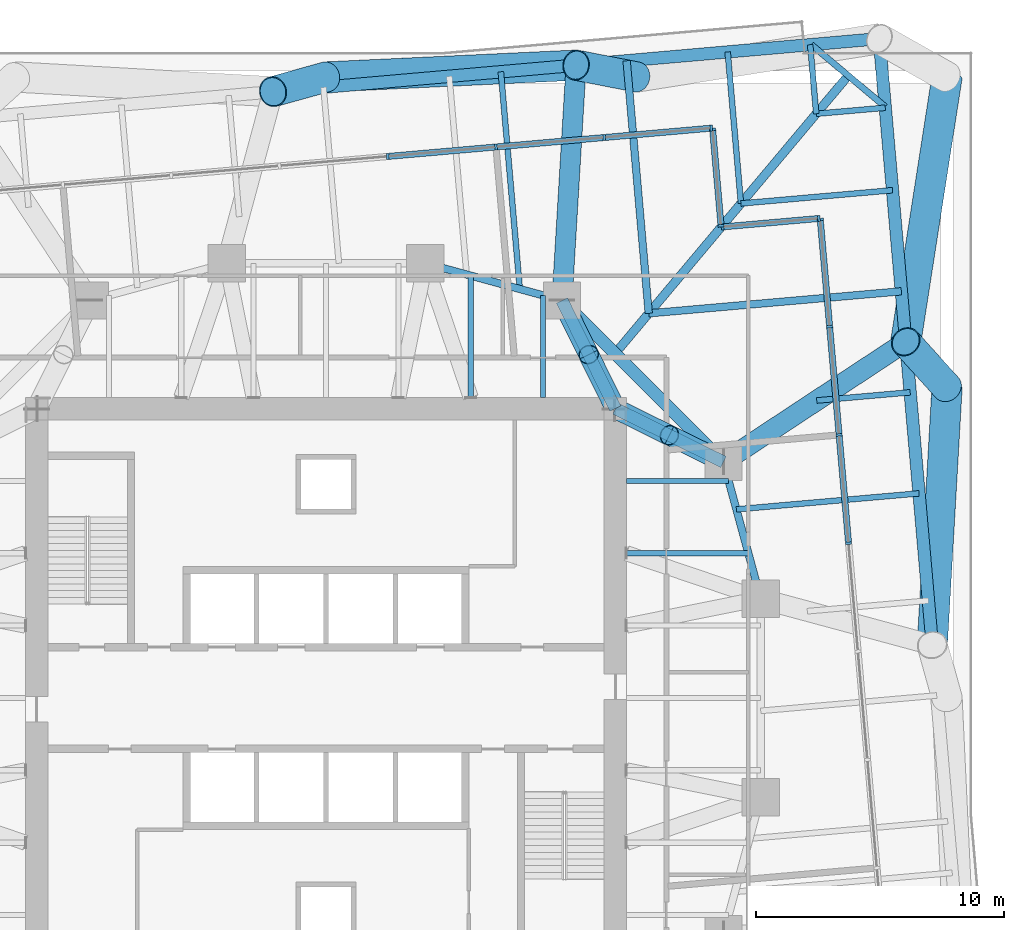
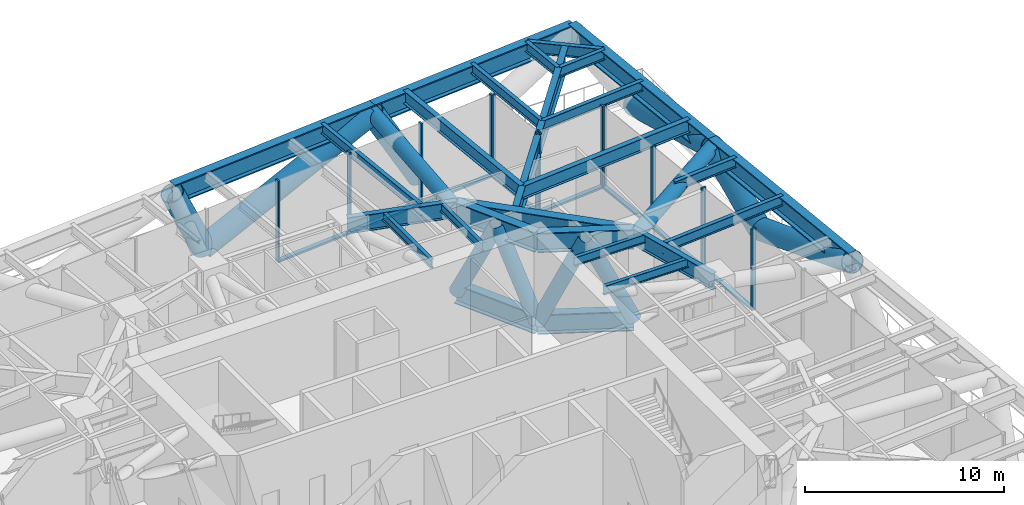
# One storey, part 7 of 14: 36 members, 22 beams, 4 elements without a shape of their own.
"""IFC4 building model written with IfcOpenShell, lengths in metres."""

from ifc_helpers import new_model, si_unit, direction, frame, origin, origin_2d, place, context, subcontext, project, spatial, rectangle, hollow_circle, i_section, extrude, material, material_profile, profile_set, type_object, element, aggregate, save


model = new_model("IFC4")

# Units and contexts
model_context = context("Model", 3, precision=1e-05, world=origin(), true_north=direction((0.0, 1.0)))
body_context = subcontext(model_context, "Body", "Model", "MODEL_VIEW")
ifc_project = project(units=[si_unit("LENGTHUNIT", "METRE"), si_unit("AREAUNIT", "SQUARE_METRE"), si_unit("VOLUMEUNIT", "CUBIC_METRE"), si_unit("PLANEANGLEUNIT", "RADIAN"), si_unit("MASSUNIT", "GRAM", prefix="KILO")], contexts=[model_context])

# Site, building, storey
site_placement = place(None, origin())
site = spatial("IfcSite", under=ifc_project, at=site_placement, CompositionType="ELEMENT")
building_placement = place(site_placement, origin())
building = spatial("IfcBuilding", under=site, at=building_placement, Name="Torsade Residences", CompositionType="ELEMENT")
storey_placement = place(building_placement, frame((0.0, 0.0, 42.199951171875)))
storey = spatial("IfcBuildingStorey", under=building, at=storey_placement, Name="L11", CompositionType="ELEMENT", Elevation=42.199951171875)

# Beams
ifc_material_1 = material(Name="Steel grade 300", Category="steel")
ifc_material_profile_1 = material_profile(ifc_material_1, i_section(OverallWidth=0.35009765625, OverallDepth=1.199951171875, WebThickness=0.01611328125, FlangeThickness=0.028076171875, at=origin_2d()), Name="1200WB278")
ifc_profile_set_1 = profile_set([ifc_material_profile_1], Name="Steel grade 300")
beam_type_1 = type_object("IfcBeamType", Name="CORNER GIRDER 1200WB278", PredefinedType="BEAM", material=ifc_profile_set_1)
beam_1_placement = place(storey_placement, frame((61.021484375, 55.052490234375, 4.25), z_axis=(-0.642785419012, -0.766046281307, 0.0), x_axis=(0.766046281307, -0.642785419012, 0.0)))
element("IfcBeam", 1, at=beam_1_placement, inside=storey, type_object=beam_type_1, Name="Corner girder 09 L12", PredefinedType="BEAM", context=body_context, shape_type="SweptSolid", body=[
    extrude(i_section(OverallWidth=0.35009765625, OverallDepth=1.199951171875, WebThickness=0.01611328125, FlangeThickness=0.028076171875, at=origin_2d()), origin(), (0.0, 0.0, 1.0), 14.603515625),
])
ifc_material_2 = material(Name="Steel grade 300", Category="steel")
ifc_material_profile_2 = material_profile(ifc_material_2, i_section(OverallWidth=0.25, OverallDepth=0.699951171875, WebThickness=0.010009765625, FlangeThickness=0.02001953125, at=origin_2d()), Name="700WB130")
ifc_profile_set_2 = profile_set([ifc_material_profile_2], Name="Steel grade 300")
beam_type_2 = type_object("IfcBeamType", Name="CORNER TRIMMER 700WB130", PredefinedType="BEAM", material=ifc_profile_set_2)
beam_2_placement = place(storey_placement, frame((59.531982421875, 56.302490234375, 4.5), z_axis=(0.766030001697, -0.642804819911, 0.0), x_axis=(0.642804819911, 0.766030001697, 0.0)))
element("IfcBeam", 2, at=beam_2_placement, inside=storey, type_object=beam_type_2, Name="Corner trimmer 09 L12", PredefinedType="BEAM", context=body_context, shape_type="SweptSolid", body=[
    extrude(i_section(OverallWidth=0.25, OverallDepth=0.699951171875, WebThickness=0.010009765625, FlangeThickness=0.02001953125, at=origin_2d()), origin(), (0.0, 0.0, 1.0), 3.88916015625),
])
ifc_material_3 = material(Name="Steel grade 300", Category="steel")
ifc_material_profile_3 = material_profile(ifc_material_3, i_section(OverallWidth=0.208984375, OverallDepth=0.528076171875, WebThickness=0.009521484375, FlangeThickness=0.01318359375, FilletRadius=0.013916015625, at=origin_2d()), Name="530UB82.0")
ifc_profile_set_3 = profile_set([ifc_material_profile_3], Name="Steel grade 300")
beam_type_3 = type_object("IfcBeamType", Name="INNER FLOOR BEAM 530UB82.0", PredefinedType="JOIST", material=ifc_profile_set_3)
beam_3_placement = place(storey_placement, frame((45.824951171875, 42.10009765625, 4.5859375), z_axis=(0.0, 1.0, 0.0), x_axis=(-1.0, 0.0, 0.0)))
element("IfcBeam", 3, at=beam_3_placement, inside=storey, type_object=beam_type_3, Name="Inner floor beam IN06 L12", PredefinedType="JOIST", context=body_context, shape_type="SweptSolid", body=[
    extrude(i_section(OverallWidth=0.208984375, OverallDepth=0.528076171875, WebThickness=0.009521484375, FlangeThickness=0.01318359375, FilletRadius=0.013916015625, at=origin_2d()), origin(), (0.0, 0.0, 1.0), 4.902099609375),
])
beam_4_placement = place(storey_placement, frame((48.737548828125, 42.10009765625, 4.5859375), z_axis=(0.0, 1.0, 0.0), x_axis=(-1.0, 0.0, 0.0)))
element("IfcBeam", 4, at=beam_4_placement, inside=storey, type_object=beam_type_3, Name="Inner floor beam IN07 L12", PredefinedType="JOIST", context=body_context, shape_type="SweptSolid", body=[
    extrude(i_section(OverallWidth=0.208984375, OverallDepth=0.528076171875, WebThickness=0.009521484375, FlangeThickness=0.01318359375, FilletRadius=0.013916015625, at=origin_2d()), origin(), (0.0, 0.0, 1.0), 4.10791015625),
])
beam_5_placement = place(storey_placement, frame((52.10009765625, 35.824951171875, 4.5859375), z_axis=(1.0, 0.0, 0.0), x_axis=(0.0, 1.0, 0.0)))
element("IfcBeam", 5, at=beam_5_placement, inside=storey, type_object=beam_type_3, Name="Inner floor beam IE06 L12", PredefinedType="JOIST", context=body_context, shape_type="SweptSolid", body=[
    extrude(i_section(OverallWidth=0.208984375, OverallDepth=0.528076171875, WebThickness=0.009521484375, FlangeThickness=0.01318359375, FilletRadius=0.013916015625, at=origin_2d()), origin(), (0.0, 0.0, 1.0), 4.902099609375),
])
beam_6_placement = place(storey_placement, frame((52.10009765625, 38.737548828125, 4.5859375), z_axis=(1.0, 0.0, 0.0), x_axis=(0.0, 1.0, 0.0)))
element("IfcBeam", 6, at=beam_6_placement, inside=storey, type_object=beam_type_3, Name="Inner floor beam IE07 L12", PredefinedType="JOIST", context=body_context, shape_type="SweptSolid", body=[
    extrude(i_section(OverallWidth=0.208984375, OverallDepth=0.528076171875, WebThickness=0.009521484375, FlangeThickness=0.01318359375, FilletRadius=0.013916015625, at=origin_2d()), origin(), (0.0, 0.0, 1.0), 4.10791015625),
])

# Members
ifc_material_4 = material(Name="Steel grade 350", Category="steel")
ifc_material_profile_4 = material_profile(ifc_material_4, i_section(OverallWidth=0.5, OverallDepth=1.199951171875, WebThickness=0.031982421875, FlangeThickness=0.050048828125, at=origin_2d()), Name="1200x500x50x32WPG")
ifc_profile_set_4 = profile_set([ifc_material_profile_4], Name="Steel grade 350")
member_type_1 = type_object("IfcMemberType", Name="OUTRIGGER CHORD", PredefinedType="CHORD", material=ifc_profile_set_4)
for number, where, z_axis, x_axis, name in (
    (7, (51.64990234375, 41.64990234375, 4.25), (0.896490509266, -0.443062937737, 0.0), (0.443062937737, 0.896490509266, 0.0), "Outrigger IR03 top chord L11"),
    (8, (51.64990234375, 41.64990234375, -0.75), (0.896490509266, -0.443062937737, 0.0), (0.443062937737, 0.896490509266, 0.0), "Outrigger IR03 bottom chord L11"),
    (9, (51.64990234375, 41.64990234375, 4.25), (-0.443062937737, 0.896490509266, 0.0), (-0.896490509266, -0.443062937737, 0.0), "Outrigger IR04 top chord L11"),
    (10, (51.64990234375, 41.64990234375, -0.75), (-0.443062937737, 0.896490509266, 0.0), (-0.896490509266, -0.443062937737, 0.0), "Outrigger IR04 bottom chord L11"),
):
    element("IfcMember", number, at=place(storey_placement, frame(where, z_axis=z_axis, x_axis=x_axis)), inside=storey, type_object=member_type_1, Name=name, PredefinedType="CHORD", context=body_context, shape_type="SweptSolid", body=[
        extrude(i_section(OverallWidth=0.5, OverallDepth=1.199951171875, WebThickness=0.031982421875, FlangeThickness=0.050048828125, at=origin_2d()), origin(), (0.0, 0.0, 1.0), 4.852294921875),
    ])
ifc_material_5 = material(Name="Steel grade 450", Category="steel")
ifc_material_profile_5 = material_profile(ifc_material_5, hollow_circle(Radius=0.406494140625, WallThickness=0.02490234375, at=origin_2d()), Name="813.0x25.0CHS")
ifc_profile_set_5 = profile_set([ifc_material_profile_5], Name="Steel grade 450")
member_type_2 = type_object("IfcMemberType", Name="OUTRIGGER DIAGONAL", PredefinedType="BRACE", material=ifc_profile_set_5)
for number, where, z_axis, x_axis, name in (
    (11, (51.64990234375, 41.64990234375, -0.75), (0.391368316838, -0.193421786849, 0.899677082595), (0.443062937737, 0.896490509266, 0.0), "Outrigger IR03 diagonal 1 L11"),
    (12, (56.0, 39.5, -0.75), (-0.391368316838, 0.193421786849, 0.899677082595), (-0.443062937737, -0.896490509266, 0.0), "Outrigger IR03 diagonal 2 L11"),
    (13, (51.64990234375, 41.64990234375, -0.75), (-0.193421786849, 0.391368316838, 0.899677082595), (-0.896490509266, -0.443062937737, 0.0), "Outrigger IR04 diagonal 1 L11"),
    (14, (49.5, 46.0, -0.75), (0.193421786849, -0.391368316838, 0.899677082595), (0.896490509266, 0.443062937737, 0.0), "Outrigger IR04 diagonal 2 L11"),
):
    element("IfcMember", number, at=place(storey_placement, frame(where, z_axis=z_axis, x_axis=x_axis)), inside=storey, type_object=member_type_2, Name=name, PredefinedType="BRACE", context=body_context, shape_type="SweptSolid", body=[
        extrude(hollow_circle(Radius=0.406494140625, WallThickness=0.02490234375, at=origin_2d()), origin(), (0.0, 0.0, 1.0), 5.5576171875),
    ])

# Beams
ifc_material_6 = material(Name="Steel grade 300", Category="steel")
ifc_material_profile_6 = material_profile(ifc_material_6, i_section(OverallWidth=0.5, OverallDepth=1.199951171875, WebThickness=0.01611328125, FlangeThickness=0.0400390625, at=origin_2d()), Name="1200WB455")
ifc_profile_set_6 = profile_set([ifc_material_profile_6], Name="Steel grade 300")
beam_type_4 = type_object("IfcBeamType", Name="RING CORNER GIRDER 1200WB455", PredefinedType="BEAM", material=ifc_profile_set_6)
beam_7_placement = place(storey_placement, frame((56.0, 39.5, 4.25), z_axis=(-0.707106781187, 0.707106781187, 0.0), x_axis=(-0.707106781187, -0.707106781187, 0.0)))
element("IfcBeam", 15, at=beam_7_placement, inside=storey, type_object=beam_type_4, Name="Ring girder IR03 L12", PredefinedType="BEAM", context=body_context, shape_type="SweptSolid", body=[
    extrude(i_section(OverallWidth=0.5, OverallDepth=1.199951171875, WebThickness=0.01611328125, FlangeThickness=0.0400390625, at=origin_2d()), origin(), (0.0, 0.0, 1.0), 9.1923828125),
])
ifc_material_7 = material(Name="Steel grade 300", Category="steel")
ifc_material_profile_7 = material_profile(ifc_material_7, i_section(OverallWidth=0.300048828125, OverallDepth=1.0, WebThickness=0.01611328125, FlangeThickness=0.028076171875, at=origin_2d()), Name="1000WB215")
ifc_profile_set_7 = profile_set([ifc_material_profile_7], Name="Steel grade 300")
beam_type_5 = type_object("IfcBeamType", Name="RING GIRDER 1000WB215", PredefinedType="BEAM", material=ifc_profile_set_7)
for number, where, z_axis, x_axis, name in (
    (16, (57.5, 34.0, 4.35009765625), (-0.263117405792, 0.964763821238, 0.0), (-0.964763821238, -0.263117405792, 0.0), "Ring girder IR02 L12"),
    (17, (49.5, 46.0, 4.35009765625), (-0.964763821238, 0.263117405792, 0.0), (-0.263117405792, -0.964763821238, 0.0), "Ring girder IR04 L12"),
):
    element("IfcBeam", number, at=place(storey_placement, frame(where, z_axis=z_axis, x_axis=x_axis)), inside=storey, type_object=beam_type_5, Name=name, PredefinedType="BEAM", context=body_context, shape_type="SweptSolid", body=[
        extrude(i_section(OverallWidth=0.300048828125, OverallDepth=1.0, WebThickness=0.01611328125, FlangeThickness=0.028076171875, at=origin_2d()), origin(), (0.0, 0.0, 1.0), 5.700927734375),
    ])
ifc_material_8 = material(Name="Steel grade 300", Category="steel")
ifc_material_profile_8 = material_profile(ifc_material_8, i_section(OverallWidth=0.22900390625, OverallDepth=0.612060546875, WebThickness=0.011962890625, FlangeThickness=0.01953125, FilletRadius=0.013916015625, at=origin_2d()), Name="610UB125")
ifc_profile_set_8 = profile_set([ifc_material_profile_8], Name="Steel grade 300")
beam_type_6 = type_object("IfcBeamType", Name="SECONDARY BEAM 610UB125", PredefinedType="JOIST", material=ifc_profile_set_8)
beam_8_placement = place(storey_placement, frame((63.873046875, 38.237060546875, 4.5439453125), z_axis=(-0.996194650902, -0.087156282128, 0.0), x_axis=(0.087156282128, -0.996194650902, 0.0)))
element("IfcBeam", 18, at=beam_8_placement, inside=storey, type_object=beam_type_6, Name="Floor beam FE08 L12", PredefinedType="JOIST", context=body_context, shape_type="SweptSolid", body=[
    extrude(i_section(OverallWidth=0.22900390625, OverallDepth=0.612060546875, WebThickness=0.011962890625, FlangeThickness=0.01953125, FilletRadius=0.013916015625, at=origin_2d()), origin(), (0.0, 0.0, 1.0), 7.381103515625),
])
beam_9_placement = place(storey_placement, frame((63.51708984375, 42.3046875, 4.5439453125), z_axis=(-0.996195822288, -0.087142892177, 0.0), x_axis=(0.087142892177, -0.996195822288, 0.0)))
element("IfcBeam", 19, at=beam_9_placement, inside=storey, type_object=beam_type_6, Name="Floor beam FE09 L12", PredefinedType="JOIST", context=body_context, shape_type="SweptSolid", body=[
    extrude(i_section(OverallWidth=0.22900390625, OverallDepth=0.612060546875, WebThickness=0.011962890625, FlangeThickness=0.01953125, FilletRadius=0.013916015625, at=origin_2d()), origin(), (0.0, 0.0, 1.0), 3.776611328125),
])
beam_10_placement = place(storey_placement, frame((62.80517578125, 50.4404296875, 4.5439453125), z_axis=(-0.996193025206, -0.087174861801, 0.0), x_axis=(0.087174861801, -0.996193025206, 0.0)))
element("IfcBeam", 20, at=beam_10_placement, inside=storey, type_object=beam_type_6, Name="Floor beam FE11 L12", PredefinedType="JOIST", context=body_context, shape_type="SweptSolid", body=[
    extrude(i_section(OverallWidth=0.22900390625, OverallDepth=0.612060546875, WebThickness=0.011962890625, FlangeThickness=0.01953125, FilletRadius=0.013916015625, at=origin_2d()), origin(), (0.0, 0.0, 1.0), 6.125),
])
for number, where, z_axis, x_axis, name in (
    (21, (62.5146484375, 53.760986328125, 4.5439453125), (-0.996199126418, -0.087105111923, 0.0), (0.087105111923, -0.996199126418, 0.0), "Floor beam FE12 L12"),
    (22, (59.490478515625, 56.298828125, 4.5439453125), (0.087105111923, -0.996199126418, 0.0), (0.996199126418, 0.087105111923, 0.0), "Floor beam FN01 L12"),
):
    element("IfcBeam", number, at=place(storey_placement, frame(where, z_axis=z_axis, x_axis=x_axis)), inside=storey, type_object=beam_type_6, Name=name, PredefinedType="JOIST", context=body_context, shape_type="SweptSolid", body=[
        extrude(i_section(OverallWidth=0.22900390625, OverallDepth=0.612060546875, WebThickness=0.011962890625, FlangeThickness=0.01953125, FilletRadius=0.013916015625, at=origin_2d()), origin(), (0.0, 0.0, 1.0), 2.79150390625),
    ])
beam_11_placement = place(storey_placement, frame((56.169677734375, 56.00830078125, 4.5439453125), z_axis=(0.087171400335, -0.996193328106, 0.0), x_axis=(0.996193328106, 0.087171400335, 0.0)))
element("IfcBeam", 23, at=beam_11_placement, inside=storey, type_object=beam_type_6, Name="Floor beam FN02 L12", PredefinedType="JOIST", context=body_context, shape_type="SweptSolid", body=[
    extrude(i_section(OverallWidth=0.22900390625, OverallDepth=0.612060546875, WebThickness=0.011962890625, FlangeThickness=0.01953125, FilletRadius=0.013916015625, at=origin_2d()), origin(), (0.0, 0.0, 1.0), 6.125244140625),
])
beam_12_placement = place(storey_placement, frame((47.0380859375, 55.209228515625, 4.5439453125), z_axis=(0.087145563964, -0.996195588568, 0.0), x_axis=(0.996195588568, 0.087145563964, 0.0)))
element("IfcBeam", 24, at=beam_12_placement, inside=storey, type_object=beam_type_6, Name="Floor beam FN04 L12", PredefinedType="JOIST", context=body_context, shape_type="SweptSolid", body=[
    extrude(i_section(OverallWidth=0.22900390625, OverallDepth=0.612060546875, WebThickness=0.011962890625, FlangeThickness=0.01953125, FilletRadius=0.013916015625, at=origin_2d()), origin(), (0.0, 0.0, 1.0), 8.780029296875),
])
ifc_material_9 = material(Name="Steel grade 300", Category="steel")
ifc_material_profile_9 = material_profile(ifc_material_9, i_section(OverallWidth=0.300048828125, OverallDepth=0.800048828125, WebThickness=0.010009765625, FlangeThickness=0.02001953125, at=origin_2d()), Name="800WB146")
ifc_profile_set_9 = profile_set([ifc_material_profile_9], Name="Steel grade 300")
beam_type_7 = type_object("IfcBeamType", Name="SECONDARY BEAM 800WB146", PredefinedType="JOIST", material=ifc_profile_set_9)
for number, where, z_axis, x_axis, name in (
    (25, (63.1611328125, 46.37255859375, 4.449951171875), (-0.996195222988, -0.087149742944, 0.0), (0.087149742944, -0.996195222988, 0.0), "Floor beam FE10 L12"),
    (26, (52.10205078125, 55.65234375, 4.449951171875), (0.087149742944, -0.996195222988, 0.0), (0.996195222988, 0.087149742944, 0.0), "Floor beam FN03 L12"),
):
    element("IfcBeam", number, at=place(storey_placement, frame(where, z_axis=z_axis, x_axis=x_axis)), inside=storey, type_object=beam_type_7, Name=name, PredefinedType="JOIST", context=body_context, shape_type="SweptSolid", body=[
        extrude(i_section(OverallWidth=0.300048828125, OverallDepth=0.800048828125, WebThickness=0.010009765625, FlangeThickness=0.02001953125, at=origin_2d()), origin(), (0.0, 0.0, 1.0), 10.208251953125),
    ])

# Members
ifc_material_10 = material(Name="Steel grade 450", Category="steel")
ifc_material_profile_10 = material_profile(ifc_material_10, hollow_circle(Radius=0.406494140625, WallThickness=0.02490234375, at=origin_2d()), Name="813.0x25.0CHS")
ifc_profile_set_10 = profile_set([ifc_material_profile_10], Name="Steel grade 450")
member_type_3 = type_object("IfcMemberType", Name="TRANSFER FLOOR STRUT 813.0x25.0CHS", PredefinedType="STRUT", material=ifc_profile_set_10)
member_1_placement = place(storey_placement, frame((63.339111328125, 44.338623046875, 4.25), z_axis=(-0.8348807583, -0.550430848899, 0.0), x_axis=(0.550430848899, -0.8348807583, 0.0)))
element("IfcMember", 27, at=member_1_placement, inside=storey, type_object=member_type_3, Name="Transfer floor strut TT1 top 08IR03", PredefinedType="STRUT", context=body_context, shape_type="SweptSolid", body=[
    extrude(hollow_circle(Radius=0.406494140625, WallThickness=0.02490234375, at=origin_2d()), origin(), (0.0, 0.0, 1.0), 8.79052734375),
])
member_2_placement = place(storey_placement, frame((50.068115234375, 55.474365234375, 4.25), z_axis=(-0.05985589598, -0.998207028485, 0.0), x_axis=(0.998207028485, -0.05985589598, 0.0)))
element("IfcMember", 28, at=member_2_placement, inside=storey, type_object=member_type_3, Name="Transfer floor strut TT1 top 10IR04", PredefinedType="STRUT", context=body_context, shape_type="SweptSolid", body=[
    extrude(hollow_circle(Radius=0.406494140625, WallThickness=0.02490234375, at=origin_2d()), origin(), (0.0, 0.0, 1.0), 9.491455078125),
])

# Curtain wall, members
ifc_material_11 = material(Name="Aluminium and glass", Category="aluminium")
curtain_wall_type = type_object("IfcCurtainWallType", Name="TRANSFER LEVEL CURTAIN WALL LOW ZONE", PredefinedType="NOTDEFINED", material=ifc_material_11)
curtain_wall_1_placement = place(storey_placement, origin())
curtain_wall_1 = element("IfcCurtainWall", 29, at=curtain_wall_1_placement, inside=storey, type_object=curtain_wall_type, Name="Curtain wall L11 face 4", PredefinedType="NOTDEFINED")
ifc_material_12 = material(Name="Aluminium mullion", Category="aluminium")
ifc_material_profile_11 = material_profile(ifc_material_12, rectangle(XDim=0.25, YDim=0.10009765625, at=origin_2d()), Name="TRANSFER LEVEL CURTAIN WALL MULLION 250x100")
ifc_profile_set_11 = profile_set([ifc_material_profile_11], Name="Aluminium mullion")
member_type_4 = type_object("IfcMemberType", Name="TRANSFER LEVEL CURTAIN WALL MULLION 250x100", PredefinedType="MULLION", material=ifc_profile_set_11)
member_3_placement = place(storey_placement, frame((61.036865234375, 36.232177734375, 0.0), z_axis=(0.0, 0.0, 1.0), x_axis=(-0.996194698206, -0.087155741444, 0.0)))
member_3 = element("IfcMember", 30, at=member_3_placement, type_object=member_type_4, Name="Mullion 6", PredefinedType="MULLION", context=body_context, shape_type="SweptSolid", body=[
    extrude(rectangle(XDim=0.25, YDim=0.10009765625, at=origin_2d()), origin(), (0.0, 0.0, 1.0), 5.0),
])
member_4_placement = place(storey_placement, frame((60.655517578125, 40.590576171875, 0.0), z_axis=(0.0, 0.0, 1.0), x_axis=(-0.996194698206, -0.087155741444, 0.0)))
member_4 = element("IfcMember", 31, at=member_4_placement, type_object=member_type_4, Name="Mullion 7", PredefinedType="MULLION", context=body_context, shape_type="SweptSolid", body=[
    extrude(rectangle(XDim=0.25, YDim=0.10009765625, at=origin_2d()), origin(), (0.0, 0.0, 1.0), 5.0),
])
member_5_placement = place(storey_placement, frame((60.274169921875, 44.948974609375, 0.0), z_axis=(0.0, 0.0, 1.0), x_axis=(-0.996194698206, -0.087155741444, 0.0)))
member_5 = element("IfcMember", 32, at=member_5_placement, type_object=member_type_4, Name="Mullion 8", PredefinedType="MULLION", context=body_context, shape_type="SweptSolid", body=[
    extrude(rectangle(XDim=0.25, YDim=0.10009765625, at=origin_2d()), origin(), (0.0, 0.0, 1.0), 5.0),
])
member_6_placement = place(storey_placement, frame((59.897216796875, 49.25732421875, 0.0), z_axis=(0.0, 0.0, 1.0), x_axis=(-0.996194698206, -0.087155741444, 0.0)))
member_6 = element("IfcMember", 33, at=member_6_placement, type_object=member_type_4, Name="Mullion 9", PredefinedType="MULLION", context=body_context, shape_type="SweptSolid", body=[
    extrude(rectangle(XDim=0.25, YDim=0.10009765625, at=origin_2d()), origin(), (0.0, 0.0, 1.0), 5.0),
])

curtain_wall_2_placement = place(storey_placement, origin())
curtain_wall_2 = element("IfcCurtainWall", 34, at=curtain_wall_2_placement, inside=storey, type_object=curtain_wall_type, Name="Curtain wall L11 face 5", PredefinedType="NOTDEFINED")
member_7_placement = place(storey_placement, frame((59.84326171875, 49.302978515625, 0.0), z_axis=(0.0, 0.0, 1.0), x_axis=(0.087155745443, -0.996194697856, 0.0)))
member_7 = element("IfcMember", 35, at=member_7_placement, type_object=member_type_4, Name="Mullion 1", PredefinedType="MULLION", context=body_context, shape_type="SweptSolid", body=[
    extrude(rectangle(XDim=0.25, YDim=0.10009765625, at=origin_2d()), origin(), (0.0, 0.0, 1.0), 5.0),
])
member_8_placement = place(storey_placement, frame((55.9580078125, 48.962890625, 0.0), z_axis=(0.0, 0.0, 1.0), x_axis=(0.087155745443, -0.996194697856, 0.0)))
member_8 = element("IfcMember", 36, at=member_8_placement, type_object=member_type_4, Name="Mullion 2", PredefinedType="MULLION", context=body_context, shape_type="SweptSolid", body=[
    extrude(rectangle(XDim=0.25, YDim=0.10009765625, at=origin_2d()), origin(), (0.0, 0.0, 1.0), 5.0),
])

curtain_wall_3_placement = place(storey_placement, origin())
curtain_wall_3 = element("IfcCurtainWall", 37, at=curtain_wall_3_placement, inside=storey, type_object=curtain_wall_type, Name="Curtain wall L11 face 6", PredefinedType="NOTDEFINED")
member_9_placement = place(storey_placement, frame((55.90380859375, 49.008544921875, 0.0), z_axis=(0.0, 0.0, 1.0), x_axis=(-0.996194697856, -0.087155745443, 0.0)))
member_9 = element("IfcMember", 38, at=member_9_placement, type_object=member_type_4, Name="Mullion 1", PredefinedType="MULLION", context=body_context, shape_type="SweptSolid", body=[
    extrude(rectangle(XDim=0.25, YDim=0.10009765625, at=origin_2d()), origin(), (0.0, 0.0, 1.0), 5.0),
])
member_10_placement = place(storey_placement, frame((55.56396484375, 52.8935546875, 0.0), z_axis=(0.0, 0.0, 1.0), x_axis=(-0.996194697856, -0.087155745443, 0.0)))
member_10 = element("IfcMember", 39, at=member_10_placement, type_object=member_type_4, Name="Mullion 2", PredefinedType="MULLION", context=body_context, shape_type="SweptSolid", body=[
    extrude(rectangle(XDim=0.25, YDim=0.10009765625, at=origin_2d()), origin(), (0.0, 0.0, 1.0), 5.0),
])

curtain_wall_4_placement = place(storey_placement, origin())
curtain_wall_4 = element("IfcCurtainWall", 40, at=curtain_wall_4_placement, inside=storey, type_object=curtain_wall_type, Name="Curtain wall L11 face 7", PredefinedType="NOTDEFINED")
member_11_placement = place(storey_placement, frame((55.509765625, 52.93896484375, 0.0), z_axis=(0.0, 0.0, 1.0), x_axis=(0.087155741444, -0.996194698206, 0.0)))
member_11 = element("IfcMember", 41, at=member_11_placement, type_object=member_type_4, Name="Mullion 1", PredefinedType="MULLION", context=body_context, shape_type="SweptSolid", body=[
    extrude(rectangle(XDim=0.25, YDim=0.10009765625, at=origin_2d()), origin(), (0.0, 0.0, 1.0), 5.0),
])
member_12_placement = place(storey_placement, frame((51.201171875, 52.56201171875, 0.0), z_axis=(0.0, 0.0, 1.0), x_axis=(0.087155741444, -0.996194698206, 0.0)))
member_12 = element("IfcMember", 42, at=member_12_placement, type_object=member_type_4, Name="Mullion 2", PredefinedType="MULLION", context=body_context, shape_type="SweptSolid", body=[
    extrude(rectangle(XDim=0.25, YDim=0.10009765625, at=origin_2d()), origin(), (0.0, 0.0, 1.0), 5.0),
])
member_13_placement = place(storey_placement, frame((46.8427734375, 52.180908203125, 0.0), z_axis=(0.0, 0.0, 1.0), x_axis=(0.087155741444, -0.996194698206, 0.0)))
member_13 = element("IfcMember", 43, at=member_13_placement, type_object=member_type_4, Name="Mullion 3", PredefinedType="MULLION", context=body_context, shape_type="SweptSolid", body=[
    extrude(rectangle(XDim=0.25, YDim=0.10009765625, at=origin_2d()), origin(), (0.0, 0.0, 1.0), 5.0),
])
member_14_placement = place(storey_placement, frame((42.484619140625, 51.799560546875, 0.0), z_axis=(0.0, 0.0, 1.0), x_axis=(0.087155741444, -0.996194698206, 0.0)))
member_14 = element("IfcMember", 44, at=member_14_placement, type_object=member_type_4, Name="Mullion 4", PredefinedType="MULLION", context=body_context, shape_type="SweptSolid", body=[
    extrude(rectangle(XDim=0.25, YDim=0.10009765625, at=origin_2d()), origin(), (0.0, 0.0, 1.0), 5.0),
])

# Member
ifc_material_13 = material(Name="Aluminium transom", Category="aluminium")
ifc_material_profile_12 = material_profile(ifc_material_13, rectangle(XDim=0.25, YDim=0.1201171875, at=origin_2d()), Name="TRANSFER LEVEL CURTAIN WALL TRANSOM 250x120")
ifc_profile_set_12 = profile_set([ifc_material_profile_12], Name="Aluminium transom")
member_type_5 = type_object("IfcMemberType", Name="TRANSFER LEVEL CURTAIN WALL TRANSOM 250x120", PredefinedType="USERDEFINED", material=ifc_profile_set_12)
member_15_placement = place(storey_placement, frame((61.032470703125, 36.281982421875, 0.06005859375), z_axis=(-0.087147114263, 0.996195452949, 0.0), x_axis=(-0.996195452949, -0.087147114263, 0.0)))
member_15 = element("IfcMember", 45, at=member_15_placement, type_object=member_type_5, Name="Transom 6.1", ObjectType="TRANSOM", PredefinedType="USERDEFINED", context=body_context, shape_type="SweptSolid", body=[
    extrude(rectangle(XDim=0.25, YDim=0.1201171875, at=origin_2d()), origin(), (0.0, 0.0, 1.0), 4.275146484375),
])

member_16_placement = place(storey_placement, frame((60.651123046875, 40.640380859375, 0.06005859375), z_axis=(-0.087147114263, 0.996195452949, 0.0), x_axis=(-0.996195452949, -0.087147114263, 0.0)))
member_16 = element("IfcMember", 46, at=member_16_placement, type_object=member_type_5, Name="Transom 7.1", ObjectType="TRANSOM", PredefinedType="USERDEFINED", context=body_context, shape_type="SweptSolid", body=[
    extrude(rectangle(XDim=0.25, YDim=0.1201171875, at=origin_2d()), origin(), (0.0, 0.0, 1.0), 4.275146484375),
])

member_17_placement = place(storey_placement, frame((60.27001953125, 44.998779296875, 0.06005859375), z_axis=(-0.087200642163, 0.996190768882, 0.0), x_axis=(-0.996190768882, -0.087200642163, 0.0)))
member_17 = element("IfcMember", 47, at=member_17_placement, type_object=member_type_5, Name="Transom 8.1", ObjectType="TRANSOM", PredefinedType="USERDEFINED", context=body_context, shape_type="SweptSolid", body=[
    extrude(rectangle(XDim=0.25, YDim=0.1201171875, at=origin_2d()), origin(), (0.0, 0.0, 1.0), 4.224853515625),
])

aggregate(curtain_wall_1, [member_3, member_4, member_5, member_6, member_15, member_16, member_17])

member_18_placement = place(storey_placement, frame((59.79345703125, 49.298583984375, 0.06005859375), z_axis=(-0.996192462168, -0.087181295702, 0.0), x_axis=(0.087181295702, -0.996192462168, 0.0)))
member_18 = element("IfcMember", 48, at=member_18_placement, type_object=member_type_5, Name="Transom 1.1", ObjectType="TRANSOM", PredefinedType="USERDEFINED", context=body_context, shape_type="SweptSolid", body=[
    extrude(rectangle(XDim=0.25, YDim=0.1201171875, at=origin_2d()), origin(), (0.0, 0.0, 1.0), 3.800048828125),
])

aggregate(curtain_wall_2, [member_7, member_8, member_18])

member_19_placement = place(storey_placement, frame((55.8994140625, 49.058349609375, 0.06005859375), z_axis=(-0.087123113886, 0.996197552209, 0.0), x_axis=(-0.996197552209, -0.087123113886, 0.0)))
member_19 = element("IfcMember", 49, at=member_19_placement, type_object=member_type_5, Name="Transom 1.1", ObjectType="TRANSOM", PredefinedType="USERDEFINED", context=body_context, shape_type="SweptSolid", body=[
    extrude(rectangle(XDim=0.25, YDim=0.1201171875, at=origin_2d()), origin(), (0.0, 0.0, 1.0), 3.7998046875),
])

aggregate(curtain_wall_3, [member_9, member_10, member_19])

member_20_placement = place(storey_placement, frame((55.4599609375, 52.934814453125, 0.06005859375), z_axis=(-0.996191208254, -0.087195622579, 0.0), x_axis=(0.087195622579, -0.996191208254, 0.0)))
member_20 = element("IfcMember", 50, at=member_20_placement, type_object=member_type_5, Name="Transom 1.1", ObjectType="TRANSOM", PredefinedType="USERDEFINED", context=body_context, shape_type="SweptSolid", body=[
    extrude(rectangle(XDim=0.25, YDim=0.1201171875, at=origin_2d()), origin(), (0.0, 0.0, 1.0), 4.22509765625),
])

member_21_placement = place(storey_placement, frame((51.1513671875, 52.557861328125, 0.06005859375), z_axis=(-0.996190493481, -0.087203788325, 0.0), x_axis=(0.087203788325, -0.996190493481, 0.0)))
member_21 = element("IfcMember", 51, at=member_21_placement, type_object=member_type_5, Name="Transom 2.1", ObjectType="TRANSOM", PredefinedType="USERDEFINED", context=body_context, shape_type="SweptSolid", body=[
    extrude(rectangle(XDim=0.25, YDim=0.1201171875, at=origin_2d()), origin(), (0.0, 0.0, 1.0), 4.275146484375),
])

member_22_placement = place(storey_placement, frame((46.79296875, 52.176513671875, 0.06005859375), z_axis=(-0.996195019197, -0.087152072424, 0.0), x_axis=(0.087152072424, -0.996195019197, 0.0)))
member_22 = element("IfcMember", 52, at=member_22_placement, type_object=member_type_5, Name="Transom 3.1", ObjectType="TRANSOM", PredefinedType="USERDEFINED", context=body_context, shape_type="SweptSolid", body=[
    extrude(rectangle(XDim=0.25, YDim=0.1201171875, at=origin_2d()), origin(), (0.0, 0.0, 1.0), 4.27490234375),
])

aggregate(curtain_wall_4, [member_11, member_12, member_13, member_14, member_20, member_21, member_22])

# Beams
ifc_material_14 = material(Name="Steel grade 350", Category="steel")
ifc_material_profile_13 = material_profile(ifc_material_14, i_section(OverallWidth=0.5, OverallDepth=1.199951171875, WebThickness=0.0400390625, FlangeThickness=0.070068359375, at=origin_2d()), Name="1200x500x70x40WPG")
ifc_profile_set_13 = profile_set([ifc_material_profile_13], Name="Steel grade 350")
beam_type_8 = type_object("IfcBeamType", Name="TRANSFER TRUSS CHORD 1200x500x70x40WPG", PredefinedType="USERDEFINED", material=ifc_profile_set_13)
for number, where, z_axis, x_axis, name in (
    (53, (64.40673828125, 32.13525390625, 4.25), (-0.08715335259, 0.996194907201, 0.0), (-0.996194907201, -0.08715335259, 0.0), "Transfer truss TT1 top chord 07"),
    (54, (63.339111328125, 44.338623046875, 4.25), (-0.08715335259, 0.996194907201, 0.0), (-0.996194907201, -0.08715335259, 0.0), "Transfer truss TT1 top chord 08"),
    (55, (62.271484375, 56.5419921875, 4.25), (-0.996194907201, -0.08715335259, 0.0), (0.08715335259, -0.996194907201, 0.0), "Transfer truss TT1 top chord 09"),
    (56, (50.068115234375, 55.474365234375, 4.25), (-0.996194907201, -0.08715335259, 0.0), (0.08715335259, -0.996194907201, 0.0), "Transfer truss TT1 top chord 10"),
):
    element("IfcBeam", number, at=place(storey_placement, frame(where, z_axis=z_axis, x_axis=x_axis)), inside=storey, type_object=beam_type_8, Name=name, ObjectType="TRANSFER TRUSS CHORD", PredefinedType="USERDEFINED", context=body_context, shape_type="SweptSolid", body=[
        extrude(i_section(OverallWidth=0.5, OverallDepth=1.199951171875, WebThickness=0.0400390625, FlangeThickness=0.070068359375, at=origin_2d()), origin(), (0.0, 0.0, 1.0), 12.25),
    ])

# Members
ifc_material_15 = material(Name="Steel grade 450", Category="steel")
ifc_material_profile_14 = material_profile(ifc_material_15, hollow_circle(Radius=0.609619140625, WallThickness=0.0400390625, at=origin_2d()), Name="1219.0x40.0CHS")
ifc_profile_set_14 = profile_set([ifc_material_profile_14], Name="Steel grade 450")
member_type_6 = type_object("IfcMemberType", Name="TRANSFER TRUSS DIAGONAL 1219.0x40.0CHS", PredefinedType="BRACE", material=ifc_profile_set_14)
member_23_placement = place(storey_placement, frame((65.0, 42.5, -0.199951171875), z_axis=(-0.05252325658, -0.917622360024, 0.39396765337), x_axis=(0.99836589567, -0.057144889209, 0.0)))
element("IfcMember", 57, at=member_23_placement, inside=storey, type_object=member_type_6, Name="Transfer truss TT1 diagonal 07", PredefinedType="BRACE", context=body_context, shape_type="SweptSolid", body=[
    extrude(hollow_circle(Radius=0.609619140625, WallThickness=0.0400390625, at=origin_2d()), origin(), (0.0, 0.0, 1.0), 11.295166015625),
])
member_24_placement = place(storey_placement, frame((65.0, 55.0, -0.199951171875), z_axis=(-0.142302063544, -0.913448304114, 0.381264105867), x_axis=(0.988081925895, -0.153928904758, 0.0)))
element("IfcMember", 58, at=member_24_placement, inside=storey, type_object=member_type_6, Name="Transfer truss TT1 diagonal 08", PredefinedType="BRACE", context=body_context, shape_type="SweptSolid", body=[
    extrude(hollow_circle(Radius=0.609619140625, WallThickness=0.0400390625, at=origin_2d()), origin(), (0.0, 0.0, 1.0), 11.671630859375),
])
member_25_placement = place(storey_placement, frame((40.0, 55.0, -0.199951171875), z_axis=(0.913796539554, 0.043054067178, 0.403883933326), x_axis=(-0.047063385903, 0.998891904916, 0.0)))
element("IfcMember", 59, at=member_25_placement, inside=storey, type_object=member_type_6, Name="Transfer truss TT1 diagonal 10", PredefinedType="BRACE", context=body_context, shape_type="SweptSolid", body=[
    extrude(hollow_circle(Radius=0.609619140625, WallThickness=0.0400390625, at=origin_2d()), origin(), (0.0, 0.0, 1.0), 11.017822265625),
])
ifc_material_16 = material(Name="Steel grade 450", Category="steel")
ifc_material_profile_15 = material_profile(ifc_material_16, hollow_circle(Radius=0.609619140625, WallThickness=0.0400390625, at=origin_2d()), Name="1219.0x40.0CHS")
ifc_profile_set_15 = profile_set([ifc_material_profile_15], Name="Steel grade 450")
member_type_7 = type_object("IfcMemberType", Name="TRANSFER TRUSS RAKING STRUT 1219.0x40.0CHS", PredefinedType="STRUT", material=ifc_profile_set_15)
for number, where, z_axis, x_axis, name in (
    (60, (65.0, 42.5, -0.199951171875), (-0.326096321241, 0.360992414416, 0.87369655259), (-0.742063114738, -0.670330018532, 0.0), "Transfer truss TT1 raking strut 08"),
    (61, (52.5, 55.0, -0.199951171875), (-0.477472505643, 0.093136138788, 0.87369655259), (-0.191452480671, -0.981501883668, 0.0), "Transfer truss TT1 raking strut 10"),
):
    element("IfcMember", number, at=place(storey_placement, frame(where, z_axis=z_axis, x_axis=x_axis)), inside=storey, type_object=member_type_7, Name=name, PredefinedType="STRUT", context=body_context, shape_type="SweptSolid", body=[
        extrude(hollow_circle(Radius=0.609619140625, WallThickness=0.0400390625, at=origin_2d()), origin(), (0.0, 0.0, 1.0), 5.09326171875),
    ])
member_26_placement = place(storey_placement, frame((40.0, 55.0, -0.199951171875), z_axis=(-0.429520458388, -0.119338522054, 0.89513713641), x_axis=(0.267700681888, -0.963502125019, 0.0)))
element("IfcMember", 62, at=member_26_placement, inside=storey, type_object=member_type_7, Name="Transfer truss TT1 raking strut 11", PredefinedType="STRUT", context=body_context, shape_type="SweptSolid", body=[
    extrude(hollow_circle(Radius=0.609619140625, WallThickness=0.0400390625, at=origin_2d()), origin(), (0.0, 0.0, 1.0), 4.97119140625),
])

save(model, "model.ifc")
